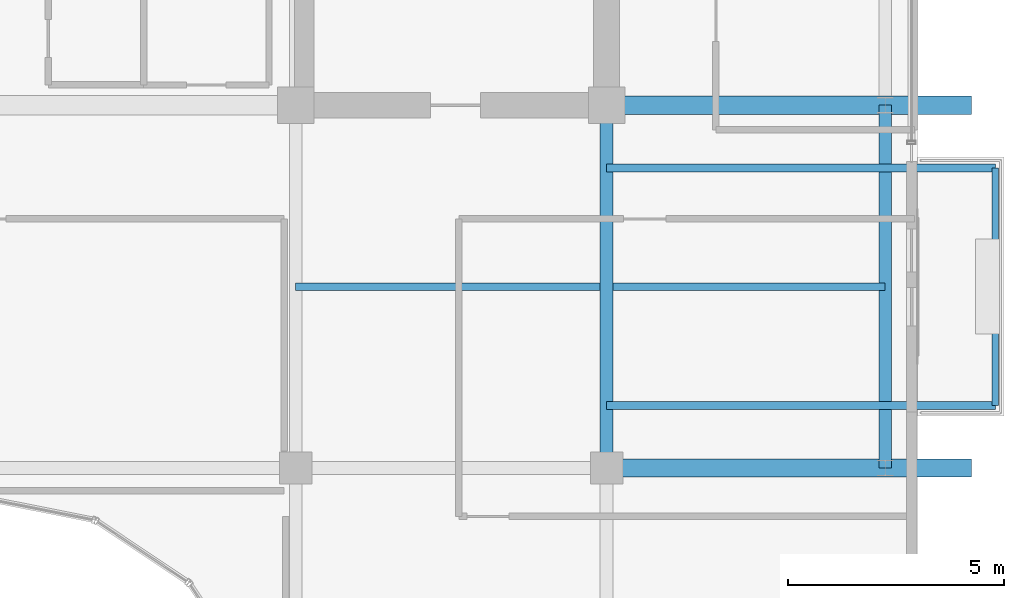
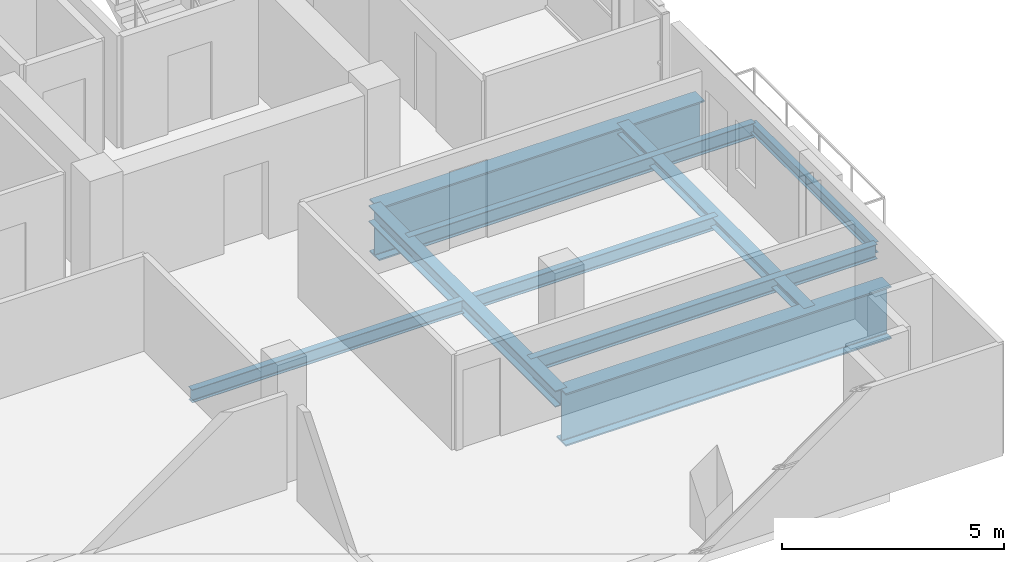
# One storey, part 14 of 29: 9 beams.
"""IFC4 building model written with IfcOpenShell, lengths in metres."""

from ifc_helpers import new_model, si_unit, direction, frame, origin, origin_2d, place, context, subcontext, project, spatial, i_section, extrude, material, material_profile, profile_set, type_object, element, save


model = new_model("IFC4")

# Units and contexts
model_context = context("Model", 3, precision=1e-05, world=origin(), true_north=direction((0.0, 1.0)))
body_context = subcontext(model_context, "Body", "Model", "MODEL_VIEW")
ifc_project = project(units=[si_unit("LENGTHUNIT", "METRE"), si_unit("AREAUNIT", "SQUARE_METRE"), si_unit("VOLUMEUNIT", "CUBIC_METRE"), si_unit("PLANEANGLEUNIT", "RADIAN"), si_unit("MASSUNIT", "GRAM", prefix="KILO")], contexts=[model_context])

# Site, building, storey
site_placement = place(None, origin())
site = spatial("IfcSite", under=ifc_project, at=site_placement, CompositionType="ELEMENT")
building_placement = place(site_placement, origin())
building = spatial("IfcBuilding", under=site, at=building_placement, Name="Zarnakvel Exchange Tower", CompositionType="ELEMENT")
storey_placement = place(building_placement, frame((0.0, 0.0, 258.39990234375)))
storey = spatial("IfcBuildingStorey", under=building, at=storey_placement, Name="L73", CompositionType="ELEMENT", Elevation=258.39990234375)

# Beams
ifc_material_1 = material(Name="Steel S355", Category="steel")
ifc_material_profile_1 = material_profile(ifc_material_1, i_section(OverallWidth=0.179931640625, OverallDepth=0.39990234375, WebThickness=0.008544921875, FlangeThickness=0.013427734375, FilletRadius=0.02099609375, at=origin_2d()))
ifc_profile_set_1 = profile_set([ifc_material_profile_1], Name="Steel S355")
beam_type_1 = type_object("IfcBeamType", Name="B-06", PredefinedType="JOIST", material=ifc_profile_set_1)
for number, where, z_axis, x_axis, name in (
    (1, (14.39990234375, -8.14990234375, -0.4248046875), (1.0, 0.0, 0.0), (0.0, 1.0, 0.0), "L73 Continuous East Loggia Beam S"),
    (2, (14.39990234375, -2.64990234375, -0.4248046875), (1.0, 0.0, 0.0), (0.0, 1.0, 0.0), "L73 Continuous East Loggia Beam N"),
):
    element("IfcBeam", number, at=place(storey_placement, frame(where, z_axis=z_axis, x_axis=x_axis)), inside=storey, type_object=beam_type_1, Name=name, PredefinedType="JOIST", context=body_context, shape_type="SweptSolid", body=[
        extrude(i_section(OverallWidth=0.179931640625, OverallDepth=0.39990234375, WebThickness=0.008544921875, FlangeThickness=0.013427734375, FilletRadius=0.02099609375, at=origin_2d()), origin(), (0.0, 0.0, 1.0), 9.0),
    ])
ifc_material_profile_2 = material_profile(ifc_material_1, i_section(OverallWidth=0.169921875, OverallDepth=0.360107421875, WebThickness=0.008056640625, FlangeThickness=0.0126953125, FilletRadius=0.01806640625, at=origin_2d()))
ifc_profile_set_2 = profile_set([ifc_material_profile_2], Name="Steel S355")
beam_type_2 = type_object("IfcBeamType", Name="B-07", PredefinedType="JOIST", material=ifc_profile_set_2)
beam_1_placement = place(storey_placement, frame((7.199951171875, -5.39990234375, -0.40478515625), z_axis=(1.0, 0.0, 0.0), x_axis=(0.0, 1.0, 0.0)))
element("IfcBeam", 3, at=beam_1_placement, inside=storey, type_object=beam_type_2, Name="L73 Composite Floor Secondary Joist", PredefinedType="JOIST", context=body_context, shape_type="SweptSolid", body=[
    extrude(i_section(OverallWidth=0.169921875, OverallDepth=0.360107421875, WebThickness=0.008056640625, FlangeThickness=0.0126953125, FilletRadius=0.01806640625, at=origin_2d()), origin(), (0.0, 0.0, 1.0), 7.050048828125),
])
beam_2_placement = place(storey_placement, frame((14.550048828125, -5.39990234375, -0.40478515625), z_axis=(1.0, 0.0, 0.0), x_axis=(0.0, 1.0, 0.0)))
element("IfcBeam", 4, at=beam_2_placement, inside=storey, type_object=beam_type_2, Name="L73 Composite Floor Secondary Joist", PredefinedType="JOIST", context=body_context, shape_type="SweptSolid", body=[
    extrude(i_section(OverallWidth=0.169921875, OverallDepth=0.360107421875, WebThickness=0.008056640625, FlangeThickness=0.0126953125, FilletRadius=0.01806640625, at=origin_2d()), origin(), (0.0, 0.0, 1.0), 6.300048828125),
])
ifc_material_profile_3 = material_profile(ifc_material_1, i_section(OverallWidth=0.14990234375, OverallDepth=0.300048828125, WebThickness=0.007080078125, FlangeThickness=0.0107421875, FilletRadius=0.014892578125, at=origin_2d()))
ifc_profile_set_3 = profile_set([ifc_material_profile_3], Name="Steel S355")
beam_type_3 = type_object("IfcBeamType", Name="B-08", PredefinedType="JOIST", material=ifc_profile_set_3)
beam_3_placement = place(storey_placement, frame((23.39990234375, -8.14990234375, -0.375), z_axis=(0.0, 1.0, 0.0), x_axis=(-1.0, 0.0, 0.0)))
element("IfcBeam", 5, at=beam_3_placement, inside=storey, type_object=beam_type_3, Name="L73 East Loggia Edge Beam", PredefinedType="JOIST", context=body_context, shape_type="SweptSolid", body=[
    extrude(i_section(OverallWidth=0.14990234375, OverallDepth=0.300048828125, WebThickness=0.007080078125, FlangeThickness=0.0107421875, FilletRadius=0.014892578125, at=origin_2d()), origin(), (0.0, 0.0, 1.0), 5.5),
])
ifc_material_profile_4 = material_profile(ifc_material_1, i_section(OverallWidth=0.300048828125, OverallDepth=0.449951171875, WebThickness=0.013916015625, FlangeThickness=0.02587890625, FilletRadius=0.027099609375, at=origin_2d()))
ifc_profile_set_4 = profile_set([ifc_material_profile_4], Name="Steel S355")
beam_type_4 = type_object("IfcBeamType", Name="G-07", PredefinedType="BEAM", material=ifc_profile_set_4)
beam_4_placement = place(storey_placement, frame((14.39990234375, -9.60009765625, -0.449951171875), z_axis=(0.0, 1.0, 0.0), x_axis=(-1.0, 0.0, 0.0)))
element("IfcBeam", 6, at=beam_4_placement, inside=storey, type_object=beam_type_4, Name="L73 Tower N-S Frame Beam", PredefinedType="BEAM", context=body_context, shape_type="SweptSolid", body=[
    extrude(i_section(OverallWidth=0.300048828125, OverallDepth=0.449951171875, WebThickness=0.013916015625, FlangeThickness=0.02587890625, FilletRadius=0.027099609375, at=origin_2d()), origin(), (0.0, 0.0, 1.0), 8.400146484375),
])
ifc_material_profile_5 = material_profile(ifc_material_1, i_section(OverallWidth=0.300048828125, OverallDepth=0.300048828125, WebThickness=0.010986328125, FlangeThickness=0.01904296875, FilletRadius=0.027099609375, at=origin_2d()))
ifc_profile_set_5 = profile_set([ifc_material_profile_5], Name="Steel S355")
beam_type_5 = type_object("IfcBeamType", Name="SP-03", PredefinedType="SPANDREL", material=ifc_profile_set_5)
beam_5_placement = place(storey_placement, frame((20.85009765625, -9.60009765625, -0.375), z_axis=(0.0, 1.0, 0.0), x_axis=(-1.0, 0.0, 0.0)))
element("IfcBeam", 7, at=beam_5_placement, inside=storey, type_object=beam_type_5, Name="L73 Tower N-S Frame Beam", PredefinedType="SPANDREL", context=body_context, shape_type="SweptSolid", body=[
    extrude(i_section(OverallWidth=0.300048828125, OverallDepth=0.300048828125, WebThickness=0.010986328125, FlangeThickness=0.01904296875, FilletRadius=0.027099609375, at=origin_2d()), origin(), (0.0, 0.0, 1.0), 8.400146484375),
])
ifc_material_2 = material(Name="Steel S460", Category="steel")
ifc_material_profile_6 = material_profile(ifc_material_2, i_section(OverallWidth=0.419921875, OverallDepth=1.449951171875, WebThickness=0.02392578125, FlangeThickness=0.0400390625, FilletRadius=0.030029296875, at=origin_2d()))
ifc_profile_set_6 = profile_set([ifc_material_profile_6], Name="Steel S460")
beam_type_6 = type_object("IfcBeamType", Name="TG-01", PredefinedType="BEAM", material=ifc_profile_set_6)
for number, where, z_axis, x_axis, name in (
    (8, (14.39990234375, -9.60009765625, -0.949951171875), (1.0, 0.0, 0.0), (0.0, 1.0, 0.0), "L73 Setback E-W Transfer Girder TE-C"),
    (9, (14.39990234375, -1.199951171875, -0.949951171875), (1.0, 0.0, 0.0), (0.0, 1.0, 0.0), "L73 Setback E-W Transfer Girder TE-D"),
):
    element("IfcBeam", number, at=place(storey_placement, frame(where, z_axis=z_axis, x_axis=x_axis)), inside=storey, type_object=beam_type_6, Name=name, PredefinedType="BEAM", context=body_context, shape_type="SweptSolid", body=[
        extrude(i_section(OverallWidth=0.419921875, OverallDepth=1.449951171875, WebThickness=0.02392578125, FlangeThickness=0.0400390625, FilletRadius=0.030029296875, at=origin_2d()), origin(), (0.0, 0.0, 1.0), 8.4501953125),
    ])

save(model, "model.ifc")
